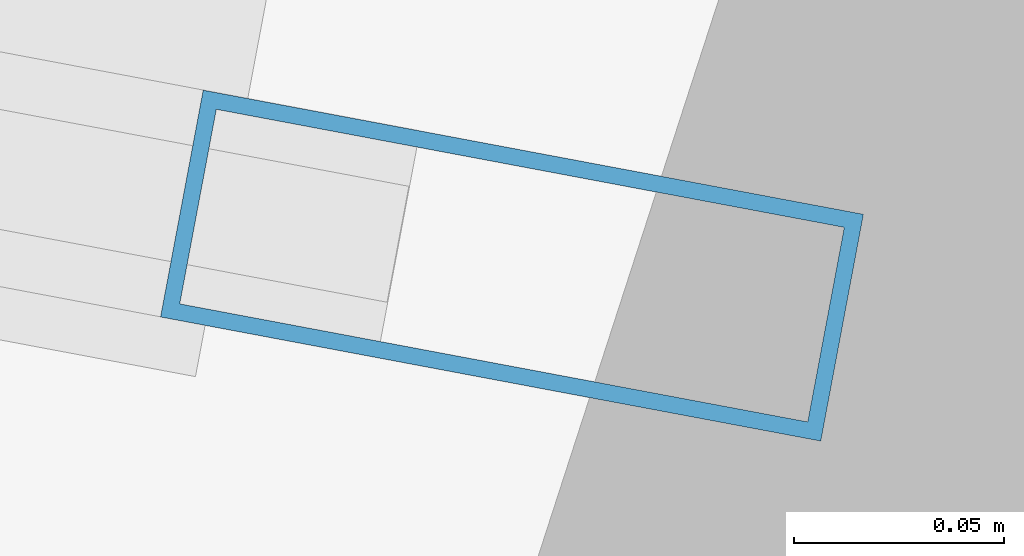
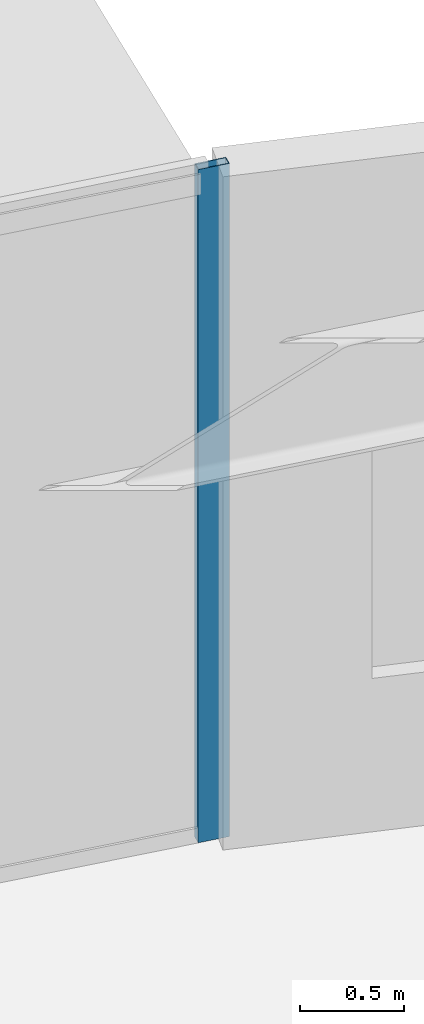
# One storey, part 12 of 32: 1 member, 1 element without a shape of its own.
"""IFC4 building model written with IfcOpenShell, lengths in metres."""

from ifc_helpers import new_model, si_unit, direction, frame, origin, origin_2d, place, context, subcontext, project, spatial, hollow_rectangle, extrude, source, transform, mapped, material, layer, layer_set, material_profile, profile_set, type_object, element, aggregate, save


model = new_model("IFC4")

# Units and contexts
model_context = context("Model", 3, precision=1e-05, world=origin(), true_north=direction((0.0, 1.0)))
body_context = subcontext(model_context, "Body", "Model", "MODEL_VIEW")
ifc_project = project(units=[si_unit("LENGTHUNIT", "METRE"), si_unit("AREAUNIT", "SQUARE_METRE"), si_unit("VOLUMEUNIT", "CUBIC_METRE"), si_unit("PLANEANGLEUNIT", "RADIAN"), si_unit("MASSUNIT", "GRAM", prefix="KILO")], contexts=[model_context])

# Site, building, storey
site_placement = place(None, origin())
site = spatial("IfcSite", under=ifc_project, at=site_placement, CompositionType="ELEMENT")
building_placement = place(site_placement, origin())
building = spatial("IfcBuilding", under=site, at=building_placement, Name="Linh Dai School and Residence Tower", CompositionType="ELEMENT")
storey_placement = place(building_placement, frame((0.0, 0.0, 40.800048828125)))
storey = spatial("IfcBuildingStorey", under=building, at=storey_placement, Name="L09", CompositionType="ELEMENT", Elevation=40.800048828125)

# Curtain wall, member
ifc_material_1 = material(Name="Aluminium Anodised Curtain Wall", Category="aluminium")
ifc_layer = layer(ifc_material_1, 0.159912109375)
ifc_layer_set = layer_set([ifc_layer], Name="Aluminium Anodised Curtain Wall")
curtain_wall_type = type_object("IfcCurtainWallType", Name="CW-SYS-3", PredefinedType="USERDEFINED", material=ifc_layer_set)
curtain_wall_placement = place(storey_placement, origin())
curtain_wall = element("IfcCurtainWall", 1, at=curtain_wall_placement, inside=storey, type_object=curtain_wall_type, Name="L09 CW3 Curtain Wall 09", ObjectType="RIBBON CURTAIN WALL", PredefinedType="USERDEFINED")
ifc_material_2 = material(Name="Aluminium Alloy 6063-T6", Category="aluminium")
ifc_material_profile = material_profile(ifc_material_2, hollow_rectangle(XDim=0.054931640625, YDim=0.159912109375, WallThickness=0.00390625, at=origin_2d()), Name="RHS 160x55x4")
ifc_profile_set = profile_set([ifc_material_profile], Name="Aluminium Alloy 6063-T6")
member_type = type_object("IfcMemberType", Name="CW-SYS-3-MUL", PredefinedType="MULLION", material=ifc_profile_set)
shared_shape = source(origin(), body_context, "Body", "SweptSolid", [
    extrude(hollow_rectangle(XDim=0.054931640625, YDim=0.159912109375, WallThickness=0.00390625, at=origin_2d()), origin(), (0.0, 0.0, 1.0), 3.949951171875),
])
member_placement = place(storey_placement, frame((45.58349609375, 50.1181640625, 0.0), z_axis=(0.0, 0.0, 1.0), x_axis=(0.184747948944, 0.982785935675, 0.0)))
member = element("IfcMember", 2, at=member_placement, type_object=member_type, Name="CW3 mullion 3", PredefinedType="MULLION", context=body_context, shape_type="MappedRepresentation", body=[
    mapped(shared_shape, transform((0.0, 0.0, 0.0), x_axis=(1.0, 0.0, 0.0), y_axis=(0.0, 1.0, 0.0), z_axis=(0.0, 0.0, 1.0), scale=1.0)),
])
aggregate(curtain_wall, [member])

save(model, "model.ifc")
